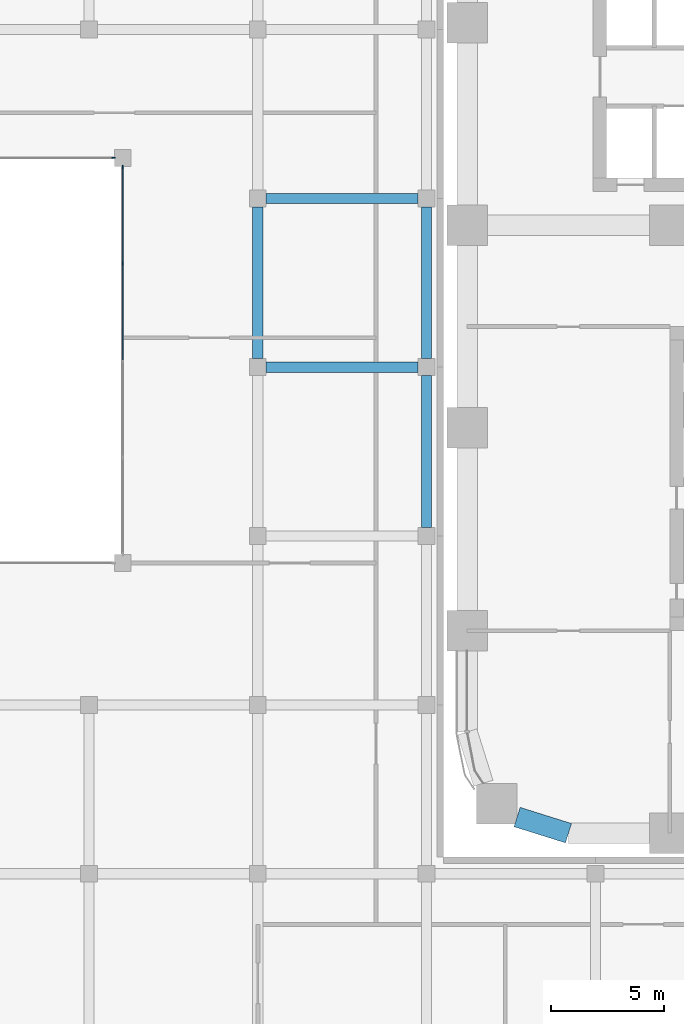
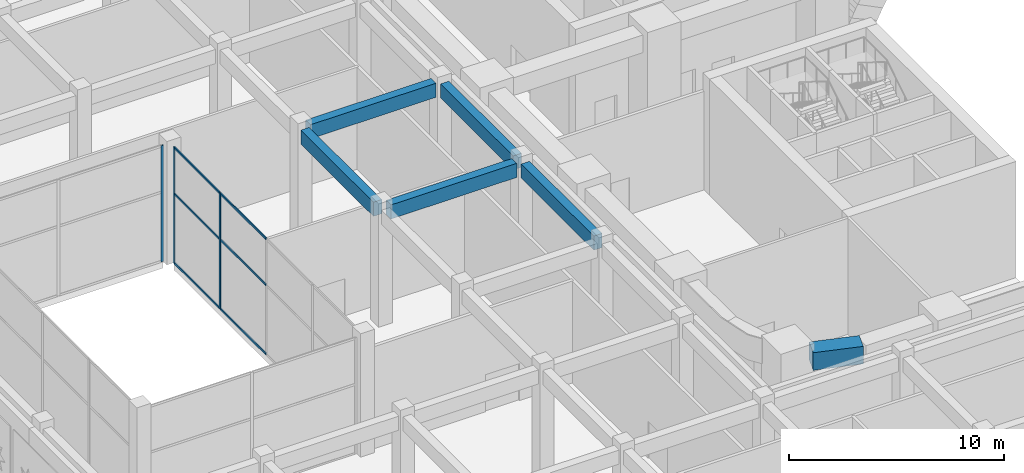
# One storey, part 4 of 42: 9 members, 6 beams, 2 elements without a shape of their own.
"""IFC4 building model written with IfcOpenShell, lengths in metres."""

from ifc_helpers import new_model, si_unit, direction, frame, origin, origin_2d, place, context, subcontext, project, spatial, rectangle, extrude, material, layer, layer_set, material_profile, profile_set, type_object, element, aggregate, save


model = new_model("IFC4")

# Units and contexts
model_context = context("Model", 3, precision=1e-05, world=origin(), true_north=direction((0.0, 1.0)))
body_context = subcontext(model_context, "Body", "Model", "MODEL_VIEW")
ifc_project = project(units=[si_unit("LENGTHUNIT", "METRE"), si_unit("AREAUNIT", "SQUARE_METRE"), si_unit("VOLUMEUNIT", "CUBIC_METRE"), si_unit("PLANEANGLEUNIT", "RADIAN"), si_unit("MASSUNIT", "GRAM", prefix="KILO")], contexts=[model_context])

# Site, building, storey
site_placement = place(None, origin())
site = spatial("IfcSite", under=ifc_project, at=site_placement, CompositionType="ELEMENT")
building_placement = place(site_placement, origin())
building = spatial("IfcBuilding", under=site, at=building_placement, Name="Tessera Arch", CompositionType="ELEMENT")
storey_placement = place(building_placement, frame((0.0, 0.0, 14.0)))
storey = spatial("IfcBuildingStorey", under=building, at=storey_placement, Name="L02", CompositionType="ELEMENT", Elevation=14.0)

# Curtain wall, members
ifc_material_1 = material(Name="Aluminium and clear glass", Category="aluminium")
ifc_layer = layer(ifc_material_1, 0.1201171875)
ifc_layer_set = layer_set([ifc_layer], Name="Courtyard curtain wall")
curtain_wall_type = type_object("IfcCurtainWallType", Name="Courtyard curtain wall", PredefinedType="NOTDEFINED", material=ifc_layer_set)
curtain_wall_1_placement = place(storey_placement, origin())
curtain_wall_1 = element("IfcCurtainWall", 1, at=curtain_wall_1_placement, inside=storey, type_object=curtain_wall_type, Name="Courtyard curtain wall L02 2", PredefinedType="NOTDEFINED")
ifc_material_2 = material(Name="Aluminium alloy anodised", Category="aluminium")
ifc_material_profile_1 = material_profile(ifc_material_2, rectangle(XDim=0.06005859375, YDim=0.14990234375, at=origin_2d()), Name="Courtyard mullion")
ifc_profile_set_1 = profile_set([ifc_material_profile_1], Name="Aluminium alloy anodised")
member_type_1 = type_object("IfcMemberType", Name="Courtyard mullion", PredefinedType="MULLION", material=ifc_profile_set_1)
member_1_placement = place(storey_placement, frame((-15.300048828125, 25.3125, 0.0), z_axis=(0.0, 0.0, 1.0), x_axis=(-1.0, 0.0, 0.0)))
member_1 = element("IfcMember", 2, at=member_1_placement, type_object=member_type_1, Name="MCW1 mullion 4", PredefinedType="MULLION", context=body_context, shape_type="SweptSolid", body=[
    extrude(rectangle(XDim=0.06005859375, YDim=0.14990234375, at=origin_2d()), origin(), (0.0, 0.0, 1.0), 6.590087890625),
])
member_2_placement = place(storey_placement, frame((-15.300048828125, 29.594970703125, 0.0), z_axis=(0.0, 0.0, 1.0), x_axis=(-1.0, 0.0, 0.0)))
member_2 = element("IfcMember", 3, at=member_2_placement, type_object=member_type_1, Name="MCW1 mullion 5", PredefinedType="MULLION", context=body_context, shape_type="SweptSolid", body=[
    extrude(rectangle(XDim=0.06005859375, YDim=0.14990234375, at=origin_2d()), origin(), (0.0, 0.0, 1.0), 6.590087890625),
])

# Curtain wall, member
curtain_wall_2_placement = place(storey_placement, origin())
curtain_wall_2 = element("IfcCurtainWall", 4, at=curtain_wall_2_placement, inside=storey, type_object=curtain_wall_type, Name="Courtyard curtain wall L02 3", PredefinedType="NOTDEFINED")
member_3_placement = place(storey_placement, frame((-15.705078125, 30.0, 0.0), z_axis=(0.0, 0.0, 1.0), x_axis=(0.0, -1.0, 0.0)))
member_3 = element("IfcMember", 5, at=member_3_placement, type_object=member_type_1, Name="MCW1 mullion 1", PredefinedType="MULLION", context=body_context, shape_type="SweptSolid", body=[
    extrude(rectangle(XDim=0.06005859375, YDim=0.14990234375, at=origin_2d()), origin(), (0.0, 0.0, 1.0), 6.590087890625),
])
aggregate(curtain_wall_2, [member_3])

# Member
ifc_material_3 = material(Name="Aluminium alloy anodised", Category="aluminium")
ifc_material_profile_2 = material_profile(ifc_material_3, rectangle(XDim=0.06005859375, YDim=0.1201171875, at=origin_2d()), Name="Courtyard transom")
ifc_profile_set_2 = profile_set([ifc_material_profile_2], Name="Aluminium alloy anodised")
member_type_2 = type_object("IfcMemberType", Name="Courtyard transom", PredefinedType="USERDEFINED", material=ifc_profile_set_2)
member_4_placement = place(storey_placement, frame((-15.300048828125, 21.030029296875, 0.030029296875), z_axis=(0.0, 1.0, 0.0), x_axis=(-1.0, 0.0, 0.0)))
member_4 = element("IfcMember", 6, at=member_4_placement, type_object=member_type_2, Name="MCW1 transom 3.1", ObjectType="TRANSOM", PredefinedType="USERDEFINED", context=body_context, shape_type="SweptSolid", body=[
    extrude(rectangle(XDim=0.06005859375, YDim=0.1201171875, at=origin_2d()), origin(), (0.0, 0.0, 1.0), 4.25244140625),
])

member_5_placement = place(storey_placement, frame((-15.300048828125, 21.030029296875, 3.9541015625), z_axis=(0.0, 1.0, 0.0), x_axis=(-1.0, 0.0, 0.0)))
member_5 = element("IfcMember", 7, at=member_5_placement, type_object=member_type_2, Name="MCW1 transom 3.2", ObjectType="TRANSOM", PredefinedType="USERDEFINED", context=body_context, shape_type="SweptSolid", body=[
    extrude(rectangle(XDim=0.06005859375, YDim=0.1201171875, at=origin_2d()), origin(), (0.0, 0.0, 1.0), 4.25244140625),
])

member_6_placement = place(storey_placement, frame((-15.300048828125, 21.030029296875, 6.56005859375), z_axis=(0.0, 1.0, 0.0), x_axis=(-1.0, 0.0, 0.0)))
member_6 = element("IfcMember", 8, at=member_6_placement, type_object=member_type_2, Name="MCW1 transom 3.3", ObjectType="TRANSOM", PredefinedType="USERDEFINED", context=body_context, shape_type="SweptSolid", body=[
    extrude(rectangle(XDim=0.06005859375, YDim=0.1201171875, at=origin_2d()), origin(), (0.0, 0.0, 1.0), 4.25244140625),
])

member_7_placement = place(storey_placement, frame((-15.300048828125, 25.342529296875, 0.030029296875), z_axis=(0.0, 1.0, 0.0), x_axis=(-1.0, 0.0, 0.0)))
member_7 = element("IfcMember", 9, at=member_7_placement, type_object=member_type_2, Name="MCW1 transom 4.1", ObjectType="TRANSOM", PredefinedType="USERDEFINED", context=body_context, shape_type="SweptSolid", body=[
    extrude(rectangle(XDim=0.06005859375, YDim=0.1201171875, at=origin_2d()), origin(), (0.0, 0.0, 1.0), 4.222412109375),
])

member_8_placement = place(storey_placement, frame((-15.300048828125, 25.342529296875, 3.9541015625), z_axis=(0.0, 1.0, 0.0), x_axis=(-1.0, 0.0, 0.0)))
member_8 = element("IfcMember", 10, at=member_8_placement, type_object=member_type_2, Name="MCW1 transom 4.2", ObjectType="TRANSOM", PredefinedType="USERDEFINED", context=body_context, shape_type="SweptSolid", body=[
    extrude(rectangle(XDim=0.06005859375, YDim=0.1201171875, at=origin_2d()), origin(), (0.0, 0.0, 1.0), 4.222412109375),
])

member_9_placement = place(storey_placement, frame((-15.300048828125, 25.342529296875, 6.56005859375), z_axis=(0.0, 1.0, 0.0), x_axis=(-1.0, 0.0, 0.0)))
member_9 = element("IfcMember", 11, at=member_9_placement, type_object=member_type_2, Name="MCW1 transom 4.3", ObjectType="TRANSOM", PredefinedType="USERDEFINED", context=body_context, shape_type="SweptSolid", body=[
    extrude(rectangle(XDim=0.06005859375, YDim=0.1201171875, at=origin_2d()), origin(), (0.0, 0.0, 1.0), 4.222412109375),
])

aggregate(curtain_wall_1, [member_1, member_2, member_4, member_5, member_6, member_7, member_8, member_9])

# Beams
ifc_material_4 = material(Name="Concrete C40/50", Category="concrete")
ifc_material_profile_3 = material_profile(ifc_material_4, rectangle(XDim=0.449951171875, YDim=0.800048828125, at=origin_2d()), Name="Museum beam 450 x 800 Concrete C40/50")
ifc_profile_set_3 = profile_set([ifc_material_profile_3], Name="Concrete C40/50")
beam_type_1 = type_object("IfcBeamType", Name="Museum beam 450 x 800 Concrete C40/50", PredefinedType="BEAM", material=ifc_profile_set_3)
for number, where, z_axis, x_axis, name in (
    (12, (-9.300048828125, 21.074951171875, 6.18994140625), (0.0, 1.0, 0.0), (-1.0, 0.0, 0.0), "Museum beam L02 29"),
    (13, (-1.800048828125, 13.574951171875, 6.18994140625), (0.0, 1.0, 0.0), (-1.0, 0.0, 0.0), "Museum beam L02 40"),
    (14, (-1.800048828125, 21.074951171875, 6.18994140625), (0.0, 1.0, 0.0), (-1.0, 0.0, 0.0), "Museum beam L02 41"),
    (15, (-8.925048828125, 20.699951171875, 6.18994140625), (1.0, 0.0, 0.0), (0.0, 1.0, 0.0), "Museum beam L02 74"),
    (16, (-8.925048828125, 28.199951171875, 6.18994140625), (1.0, 0.0, 0.0), (0.0, 1.0, 0.0), "Museum beam L02 75"),
):
    element("IfcBeam", number, at=place(storey_placement, frame(where, z_axis=z_axis, x_axis=x_axis)), inside=storey, type_object=beam_type_1, Name=name, PredefinedType="BEAM", context=body_context, shape_type="SweptSolid", body=[
        extrude(rectangle(XDim=0.449951171875, YDim=0.800048828125, at=origin_2d()), origin(), (0.0, 0.0, 1.0), 6.75),
    ])
ifc_material_5 = material(Name="Concrete C80/95", Category="concrete")
ifc_material_profile_4 = material_profile(ifc_material_5, rectangle(XDim=0.89990234375, YDim=1.0, at=origin_2d()), Name="RC spandrel beam 900 x 1000 Concrete C80/95")
ifc_profile_set_4 = profile_set([ifc_material_profile_4], Name="Concrete C80/95")
beam_type_2 = type_object("IfcBeamType", Name="RC spandrel beam 900 x 1000 Concrete C80/95", PredefinedType="BEAM", material=ifc_profile_set_4)
beam_placement = place(storey_placement, frame((2.218017578125, 0.716796875, 6.090087890625), z_axis=(0.954041251279, -0.299675309057, 0.0), x_axis=(0.299675309057, 0.954041251279, 0.0)))
element("IfcBeam", 17, at=beam_placement, inside=storey, type_object=beam_type_2, Name="Spandrel beam L02 S0.0/0.1", PredefinedType="BEAM", context=body_context, shape_type="SweptSolid", body=[
    extrude(rectangle(XDim=0.89990234375, YDim=1.0, at=origin_2d()), origin(), (0.0, 0.0, 1.0), 2.391845703125),
])

save(model, "model.ifc")
